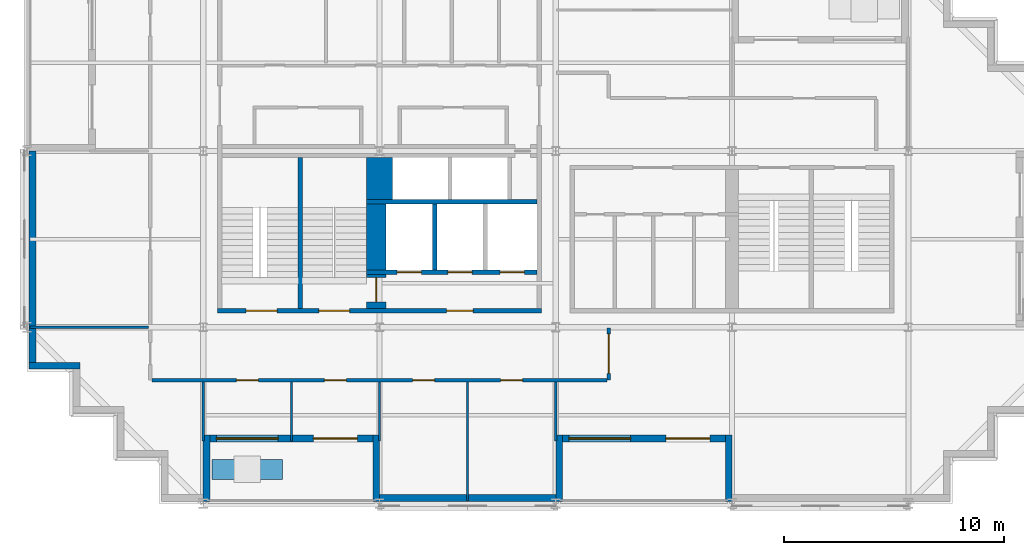
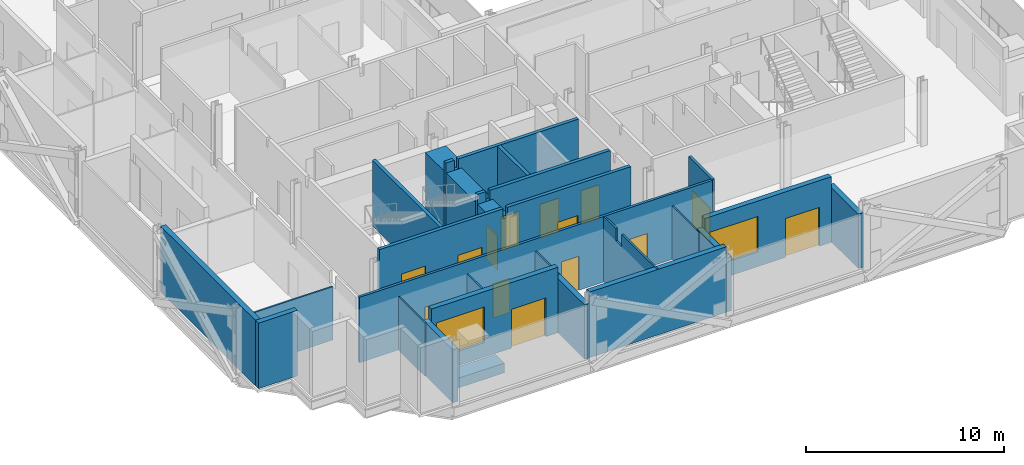
# One storey, part 4 of 12: 26 walls, 14 doors, 2 windows, 16 openings.
"""IFC4 building model written with IfcOpenShell, lengths in metres."""

from ifc_helpers import new_model, si_unit, direction, frame, frame_2d, origin, place, context, subcontext, project, spatial, polyline, rectangle, outline, extrude, material, layer, layer_set, type_object, element, fill, save


model = new_model("IFC4")

# Units and contexts
model_context = context("Model", 3, precision=1e-05, world=origin(), true_north=direction((0.0, 1.0)))
body_context = subcontext(model_context, "Body", "Model", "MODEL_VIEW")
ifc_project = project(units=[si_unit("LENGTHUNIT", "METRE"), si_unit("AREAUNIT", "SQUARE_METRE"), si_unit("VOLUMEUNIT", "CUBIC_METRE"), si_unit("PLANEANGLEUNIT", "RADIAN"), si_unit("MASSUNIT", "GRAM", prefix="KILO")], contexts=[model_context])

# Site, building, storey
site_placement = place(None, origin())
site = spatial("IfcSite", under=ifc_project, at=site_placement, CompositionType="ELEMENT")
building_placement = place(site_placement, origin())
building = spatial("IfcBuilding", under=site, at=building_placement, Name="Immortelle Media Tower", CompositionType="ELEMENT")
storey_placement = place(building_placement, frame((0.0, 0.0, 124.199951171875)))
storey = spatial("IfcBuildingStorey", under=building, at=storey_placement, Name="L24", CompositionType="ELEMENT", Elevation=124.199951171875)

# Wall, openings, doors
ifc_material_1 = material(Name="Fire-rated gypsum board", Category="gypsum")
ifc_layer_1 = layer(ifc_material_1, 0.03759765625)
ifc_material_2 = material(Name="Steel ASTM A653 SS Gr 50 stud frame with mineral wool", Category="steel")
ifc_layer_2 = layer(ifc_material_2, 0.125)
ifc_layer_3 = layer(ifc_material_1, 0.03759765625)
ifc_layer_set_1 = layer_set([ifc_layer_1, ifc_layer_2, ifc_layer_3], Name="Steel ASTM A653 SS Gr 50 stud frame with mineral wool")
wall_type_1 = type_object("IfcWallType", Name="Core shaft wall 200", PredefinedType="PARTITIONING", material=ifc_layer_set_1)
wall_1_placement = place(storey_placement, frame((15.39990234375, 10.5, 0.0), z_axis=(0.0, 0.0, 1.0), x_axis=(1.0, 0.0, 0.0)))
wall_1 = element("IfcWall", 1, at=wall_1_placement, inside=storey, type_object=wall_type_1, Name="Core shaft wall SW", PredefinedType="PARTITIONING", context=body_context, shape_type="SweptSolid", body=[
    extrude(outline(polyline([(0.0, 0.0), (7.75, 0.0), (7.75, 4.050048828125), (0.719482421875, 4.050048828125), (0.718505859375, 3.43212890625), (0.4814453125, 3.43212890625), (0.48046875, 4.050048828125), (0.0, 4.050048828125), (0.0, 0.0)])), frame((0.0, 0.10009765625, 0.0), z_axis=(0.0, -1.0, 0.0), x_axis=(1.0, 0.0, 0.0)), (0.0, 0.0, 1.0), 0.199951171875),
])
opening_1_placement = place(wall_1_placement, frame((1.39990234375, 0.0, 0.0)))
opening_1 = element("IfcOpeningElement", 2, at=opening_1_placement, cuts=wall_1, Name="Opening LD", PredefinedType="OPENING", context=body_context, shape_type="SweptSolid", body=[
    extrude(rectangle(XDim=1.10009765625, YDim=2.10009765625, at=frame_2d((0.550048828125, 1.050048828125))), frame((0.0, 0.10986328125, 0.0), z_axis=(0.0, -1.0, 0.0), x_axis=(1.0, 0.0, 0.0)), (0.0, 0.0, 1.0), 0.219970703125),
])
opening_2_placement = place(wall_1_placement, frame((3.699951171875, 0.0, 0.0)))
opening_2 = element("IfcOpeningElement", 3, at=opening_2_placement, cuts=wall_1, Name="Opening LD", PredefinedType="OPENING", context=body_context, shape_type="SweptSolid", body=[
    extrude(rectangle(XDim=1.10009765625, YDim=2.10009765625, at=frame_2d((0.550048828125, 1.050048828125))), frame((0.0, 0.10986328125, 0.0), z_axis=(0.0, -1.0, 0.0), x_axis=(1.0, 0.0, 0.0)), (0.0, 0.0, 1.0), 0.219970703125),
])
opening_3_placement = place(wall_1_placement, frame((6.074951171875, 0.0, 0.0)))
opening_3 = element("IfcOpeningElement", 4, at=opening_3_placement, cuts=wall_1, Name="Opening LD", PredefinedType="OPENING", context=body_context, shape_type="SweptSolid", body=[
    extrude(rectangle(XDim=1.10009765625, YDim=2.10009765625, at=frame_2d((0.550048828125, 1.050048828125))), frame((0.0, 0.10986328125, 0.0), z_axis=(0.0, -1.0, 0.0), x_axis=(1.0, 0.0, 0.0)), (0.0, 0.0, 1.0), 0.219970703125),
])
ifc_material_3 = material(Name="Stainless steel AISI 304", Category="steel")
door_type_1 = type_object("IfcDoorType", Name="Landing door 1100 x 2100", OperationType="SLIDING_TO_LEFT", PredefinedType="NOTDEFINED", material=ifc_material_3)
door_1_placement = place(opening_1_placement, origin())
door_1 = element("IfcDoor", 5, at=door_1_placement, inside=storey, type_object=door_type_1, Name="Landing door FF1 L24", OperationType="SLIDING_TO_LEFT", OverallHeight=2.10009765625, OverallWidth=1.10009765625, PredefinedType="NOTDEFINED", context=body_context, shape_type="SweptSolid", body=[
    extrude(rectangle(XDim=1.10009765625, YDim=2.10009765625, at=frame_2d((0.550048828125, 1.050048828125))), frame((0.0, 0.02490234375, 0.0), z_axis=(0.0, -1.0, 0.0), x_axis=(1.0, 0.0, 0.0)), (0.0, 0.0, 1.0), 0.050048828125),
])
fill(opening_1, door_1)
door_2_placement = place(opening_2_placement, origin())
door_2 = element("IfcDoor", 6, at=door_2_placement, inside=storey, type_object=door_type_1, Name="Landing door FF2 L24", OperationType="SLIDING_TO_LEFT", OverallHeight=2.10009765625, OverallWidth=1.10009765625, PredefinedType="NOTDEFINED", context=body_context, shape_type="SweptSolid", body=[
    extrude(rectangle(XDim=1.10009765625, YDim=2.10009765625, at=frame_2d((0.550048828125, 1.050048828125))), frame((0.0, 0.02490234375, 0.0), z_axis=(0.0, -1.0, 0.0), x_axis=(1.0, 0.0, 0.0)), (0.0, 0.0, 1.0), 0.050048828125),
])
fill(opening_2, door_2)
door_3_placement = place(opening_3_placement, origin())
door_3 = element("IfcDoor", 7, at=door_3_placement, inside=storey, type_object=door_type_1, Name="Landing door FF3 L24", OperationType="SLIDING_TO_LEFT", OverallHeight=2.10009765625, OverallWidth=1.10009765625, PredefinedType="NOTDEFINED", context=body_context, shape_type="SweptSolid", body=[
    extrude(rectangle(XDim=1.10009765625, YDim=2.10009765625, at=frame_2d((0.550048828125, 1.050048828125))), frame((0.0, 0.02490234375, 0.0), z_axis=(0.0, -1.0, 0.0), x_axis=(1.0, 0.0, 0.0)), (0.0, 0.0, 1.0), 0.050048828125),
])
fill(opening_3, door_3)

# Walls
wall_2_placement = place(storey_placement, frame((15.39990234375, 13.699951171875, 0.0), z_axis=(0.0, 0.0, 1.0), x_axis=(1.0, 0.0, 0.0)))
element("IfcWall", 8, at=wall_2_placement, inside=storey, type_object=wall_type_1, Name="Core shaft wall SW", PredefinedType="PARTITIONING", context=body_context, shape_type="SweptSolid", body=[
    extrude(outline(polyline([(0.0, 0.0), (7.75, 0.0), (7.75, 4.050048828125), (0.719482421875, 4.050048828125), (0.718505859375, 3.43212890625), (0.4814453125, 3.43212890625), (0.48046875, 4.050048828125), (0.0, 4.050048828125), (0.0, 0.0)])), frame((0.0, 0.10009765625, 0.0), z_axis=(0.0, -1.0, 0.0), x_axis=(1.0, 0.0, 0.0)), (0.0, 0.0, 1.0), 0.199951171875),
])
wall_3_placement = place(storey_placement, frame((18.5, 10.60009765625, 0.0), z_axis=(0.0, 0.0, 1.0), x_axis=(0.0, 1.0, 0.0)))
element("IfcWall", 9, at=wall_3_placement, inside=storey, type_object=wall_type_1, Name="Core shaft wall SW", PredefinedType="PARTITIONING", context=body_context, shape_type="SweptSolid", body=[
    extrude(rectangle(XDim=3.0, YDim=0.199951171875, at=frame_2d((1.5, 0.0))), origin(), (0.0, 0.0, 1.0), 4.050048828125),
])

# Wall, openings, doors
ifc_layer_4 = layer(ifc_material_1, 0.012451171875)
ifc_layer_5 = layer(ifc_material_2, 0.125)
ifc_layer_6 = layer(ifc_material_1, 0.012451171875)
ifc_layer_set_2 = layer_set([ifc_layer_4, ifc_layer_5, ifc_layer_6], Name="Steel ASTM A653 SS Gr 50 stud frame with mineral wool")
wall_type_2 = type_object("IfcWallType", Name="Corridor wall 150", PredefinedType="PARTITIONING", material=ifc_layer_set_2)
wall_4_placement = place(storey_placement, frame((5.675048828125, 5.60009765625, 0.0), z_axis=(0.0, 0.0, 1.0), x_axis=(1.0, 0.0, 0.0)))
wall_4 = element("IfcWall", 10, at=wall_4_placement, inside=storey, type_object=wall_type_2, Name="Partition L24-006", PredefinedType="PARTITIONING", context=body_context, shape_type="SweptSolid", body=[
    extrude(rectangle(XDim=20.64990234375, YDim=0.14990234375, at=frame_2d((10.324951171875, 0.0))), origin(), (0.0, 0.0, 1.0), 4.050048828125),
])
opening_4_placement = place(wall_4_placement, frame((12.824951171875, 0.0, 0.0), z_axis=(0.0, 0.0, 1.0), x_axis=(-1.0, 0.0, 0.0)))
opening_4 = element("IfcOpeningElement", 11, at=opening_4_placement, cuts=wall_4, Name="Opening C1-F001", PredefinedType="OPENING", context=body_context, shape_type="SweptSolid", body=[
    extrude(rectangle(XDim=1.0, YDim=2.10009765625, at=frame_2d((0.5, 1.050048828125))), frame((0.0, 0.0849609375, 0.0), z_axis=(0.0, -1.0, 0.0), x_axis=(1.0, 0.0, 0.0)), (0.0, 0.0, 1.0), 0.169921875),
])
opening_5_placement = place(wall_4_placement, frame((16.824951171875, 0.0, 0.0), z_axis=(0.0, 0.0, 1.0), x_axis=(-1.0, 0.0, 0.0)))
opening_5 = element("IfcOpeningElement", 12, at=opening_5_placement, cuts=wall_4, Name="Opening C1-F002", PredefinedType="OPENING", context=body_context, shape_type="SweptSolid", body=[
    extrude(rectangle(XDim=1.0, YDim=2.10009765625, at=frame_2d((0.5, 1.050048828125))), frame((0.0, 0.0849609375, 0.0), z_axis=(0.0, -1.0, 0.0), x_axis=(1.0, 0.0, 0.0)), (0.0, 0.0, 1.0), 0.169921875),
])
opening_6_placement = place(wall_4_placement, frame((4.824951171875, 0.0, 0.0), z_axis=(0.0, 0.0, 1.0), x_axis=(-1.0, 0.0, 0.0)))
opening_6 = element("IfcOpeningElement", 13, at=opening_6_placement, cuts=wall_4, Name="Opening C1-F003", PredefinedType="OPENING", context=body_context, shape_type="SweptSolid", body=[
    extrude(rectangle(XDim=1.0, YDim=2.10009765625, at=frame_2d((0.5, 1.050048828125))), frame((0.0, 0.0849609375, 0.0), z_axis=(0.0, -1.0, 0.0), x_axis=(1.0, 0.0, 0.0)), (0.0, 0.0, 1.0), 0.169921875),
])
opening_7_placement = place(wall_4_placement, frame((8.824951171875, 0.0, 0.0), z_axis=(0.0, 0.0, 1.0), x_axis=(-1.0, 0.0, 0.0)))
opening_7 = element("IfcOpeningElement", 14, at=opening_7_placement, cuts=wall_4, Name="Opening C1-F004", PredefinedType="OPENING", context=body_context, shape_type="SweptSolid", body=[
    extrude(rectangle(XDim=1.0, YDim=2.10009765625, at=frame_2d((0.5, 1.050048828125))), frame((0.0, 0.0849609375, 0.0), z_axis=(0.0, -1.0, 0.0), x_axis=(1.0, 0.0, 0.0)), (0.0, 0.0, 1.0), 0.169921875),
])
ifc_material_4 = material(Name="Timber veneered door leaf, galvanised steel frame ASTM A653", Category="steel")
door_type_2 = type_object("IfcDoorType", Name="Room door 1000 x 2100", OperationType="NOTDEFINED", PredefinedType="DOOR", material=ifc_material_4)
door_4_placement = place(opening_4_placement, origin())
door_4 = element("IfcDoor", 15, at=door_4_placement, inside=storey, type_object=door_type_2, Name="Door C1-F001", OperationType="SINGLE_SWING_LEFT", OverallHeight=2.10009765625, OverallWidth=1.0, PredefinedType="DOOR", context=body_context, shape_type="SweptSolid", body=[
    extrude(rectangle(XDim=1.0, YDim=2.10009765625, at=frame_2d((0.5, 1.050048828125))), frame((0.0, 0.02490234375, 0.0), z_axis=(0.0, -1.0, 0.0), x_axis=(1.0, 0.0, 0.0)), (0.0, 0.0, 1.0), 0.050048828125),
])
fill(opening_4, door_4)
door_5_placement = place(opening_5_placement, origin())
door_5 = element("IfcDoor", 16, at=door_5_placement, inside=storey, type_object=door_type_2, Name="Door C1-F002", OperationType="SINGLE_SWING_RIGHT", OverallHeight=2.10009765625, OverallWidth=1.0, PredefinedType="DOOR", context=body_context, shape_type="SweptSolid", body=[
    extrude(rectangle(XDim=1.0, YDim=2.10009765625, at=frame_2d((0.5, 1.050048828125))), frame((0.0, 0.02490234375, 0.0), z_axis=(0.0, -1.0, 0.0), x_axis=(1.0, 0.0, 0.0)), (0.0, 0.0, 1.0), 0.050048828125),
])
fill(opening_5, door_5)
door_6_placement = place(opening_6_placement, origin())
door_6 = element("IfcDoor", 17, at=door_6_placement, inside=storey, type_object=door_type_2, Name="Door C1-F003", OperationType="SINGLE_SWING_LEFT", OverallHeight=2.10009765625, OverallWidth=1.0, PredefinedType="DOOR", context=body_context, shape_type="SweptSolid", body=[
    extrude(rectangle(XDim=1.0, YDim=2.10009765625, at=frame_2d((0.5, 1.050048828125))), frame((0.0, 0.02490234375, 0.0), z_axis=(0.0, -1.0, 0.0), x_axis=(1.0, 0.0, 0.0)), (0.0, 0.0, 1.0), 0.050048828125),
])
fill(opening_6, door_6)
door_7_placement = place(opening_7_placement, origin())
door_7 = element("IfcDoor", 18, at=door_7_placement, inside=storey, type_object=door_type_2, Name="Door C1-F004", OperationType="SINGLE_SWING_RIGHT", OverallHeight=2.10009765625, OverallWidth=1.0, PredefinedType="DOOR", context=body_context, shape_type="SweptSolid", body=[
    extrude(rectangle(XDim=1.0, YDim=2.10009765625, at=frame_2d((0.5, 1.050048828125))), frame((0.0, 0.02490234375, 0.0), z_axis=(0.0, -1.0, 0.0), x_axis=(1.0, 0.0, 0.0)), (0.0, 0.0, 1.0), 0.050048828125),
])
fill(opening_7, door_7)

# Wall, opening, door
wall_5_placement = place(storey_placement, frame((26.39990234375, 5.60009765625, 0.0), z_axis=(0.0, 0.0, 1.0), x_axis=(0.0, 1.0, 0.0)))
wall_5 = element("IfcWall", 19, at=wall_5_placement, inside=storey, type_object=wall_type_2, Name="Partition L24-008", PredefinedType="PARTITIONING", context=body_context, shape_type="SweptSolid", body=[
    extrude(rectangle(XDim=2.369873046875, YDim=0.14990234375, at=frame_2d((1.18505859375, 0.0))), origin(), (0.0, 0.0, 1.0), 4.050048828125),
])
opening_8_placement = place(wall_5_placement, frame((0.300048828125, 0.0, 0.0)))
opening_8 = element("IfcOpeningElement", 20, at=opening_8_placement, cuts=wall_5, Name="Opening C1-F006", PredefinedType="OPENING", context=body_context, shape_type="SweptSolid", body=[
    extrude(rectangle(XDim=1.800048828125, YDim=2.10009765625, at=frame_2d((0.89990234375, 1.050048828125))), frame((0.0, 0.0849609375, 0.0), z_axis=(0.0, -1.0, 0.0), x_axis=(1.0, 0.0, 0.0)), (0.0, 0.0, 1.0), 0.169921875),
])
door_type_3 = type_object("IfcDoorType", Name="Room door 1800 x 2100", OperationType="DOUBLE_DOOR_SINGLE_SWING", PredefinedType="DOOR", material=ifc_material_4)
door_8_placement = place(opening_8_placement, origin())
door_8 = element("IfcDoor", 21, at=door_8_placement, inside=storey, type_object=door_type_3, Name="Door C1-F006", OperationType="DOUBLE_DOOR_SINGLE_SWING", OverallHeight=2.10009765625, OverallWidth=1.800048828125, PredefinedType="DOOR", context=body_context, shape_type="SweptSolid", body=[
    extrude(rectangle(XDim=1.800048828125, YDim=2.10009765625, at=frame_2d((0.89990234375, 1.050048828125))), frame((0.0, 0.02490234375, 0.0), z_axis=(0.0, -1.0, 0.0), x_axis=(1.0, 0.0, 0.0)), (0.0, 0.0, 1.0), 0.050048828125),
])
fill(opening_8, door_8)

# Wall
ifc_material_5 = material(Name="Pale aluminium cladding panel", Category="aluminium")
ifc_layer_7 = layer(ifc_material_5, 0.030029296875)
ifc_layer_8 = layer(ifc_material_2, 0.257568359375)
ifc_material_6 = material(Name="Moisture-resistant gypsum board", Category="gypsum")
ifc_layer_9 = layer(ifc_material_6, 0.012451171875)
ifc_layer_set_3 = layer_set([ifc_layer_7, ifc_layer_8, ifc_layer_9], Name="Steel ASTM A653 SS Gr 50 stud frame with mineral wool")
wall_type_3 = type_object("IfcWallType", Name="Facade wall 300", PredefinedType="SOLIDWALL", material=ifc_layer_set_3)
wall_6_placement = place(storey_placement, frame((0.10009765625, 6.25, 0.0), z_axis=(0.0, 0.0, 1.0), x_axis=(1.0, 0.0, 0.0)))
element("IfcWall", 22, at=wall_6_placement, inside=storey, type_object=wall_type_3, Name="Facade wall L24 S0", PredefinedType="SOLIDWALL", context=body_context, shape_type="SweptSolid", body=[
    extrude(rectangle(XDim=2.2998046875, YDim=0.300048828125, at=frame_2d((1.14990234375, 0.0))), origin(), (0.0, 0.0, 1.0), 4.050048828125),
])

# Wall, openings, door, window
wall_7_placement = place(storey_placement, frame((8.300048828125, 2.949951171875, 0.0), z_axis=(0.0, 0.0, 1.0), x_axis=(1.0, 0.0, 0.0)))
wall_7 = element("IfcWall", 23, at=wall_7_placement, inside=storey, type_object=wall_type_3, Name="Loggia wall L24 S6", PredefinedType="SOLIDWALL", context=body_context, shape_type="SweptSolid", body=[
    extrude(rectangle(XDim=7.39990234375, YDim=0.300048828125, at=frame_2d((3.699951171875, 0.0))), origin(), (0.0, 0.0, 1.0), 4.050048828125),
])
opening_9_placement = place(wall_7_placement, frame((0.300048828125, 0.0, 0.89990234375)))
opening_9 = element("IfcOpeningElement", 24, at=opening_9_placement, cuts=wall_7, Name="Opening W1", PredefinedType="OPENING", context=body_context, shape_type="SweptSolid", body=[
    extrude(rectangle(XDim=2.800048828125, YDim=2.199951171875, at=frame_2d((1.39990234375, 1.10009765625))), frame((0.0, 0.159912109375, 0.0), z_axis=(0.0, -1.0, 0.0), x_axis=(1.0, 0.0, 0.0)), (0.0, 0.0, 1.0), 0.320068359375),
])
opening_10_placement = place(wall_7_placement, frame((4.699951171875, 0.0, 0.0)))
opening_10 = element("IfcOpeningElement", 25, at=opening_10_placement, cuts=wall_7, Name="Opening C1-E001", PredefinedType="OPENING", context=body_context, shape_type="SweptSolid", body=[
    extrude(rectangle(XDim=2.0, YDim=2.39990234375, at=frame_2d((1.0, 1.199951171875))), frame((0.0, 0.159912109375, 0.0), z_axis=(0.0, -1.0, 0.0), x_axis=(1.0, 0.0, 0.0)), (0.0, 0.0, 1.0), 0.320068359375),
])
ifc_material_7 = material(Name="Aluminium frame, glazed leaves", Category="aluminium")
door_type_4 = type_object("IfcDoorType", Name="Loggia door 2000 x 2400", OperationType="DOUBLE_DOOR_SINGLE_SWING", PredefinedType="DOOR", material=ifc_material_7)
door_9_placement = place(opening_10_placement, origin())
door_9 = element("IfcDoor", 26, at=door_9_placement, inside=storey, type_object=door_type_4, Name="Door C1-E001", OperationType="DOUBLE_DOOR_SINGLE_SWING", OverallHeight=2.39990234375, OverallWidth=2.0, PredefinedType="DOOR", context=body_context, shape_type="SweptSolid", body=[
    extrude(rectangle(XDim=2.0, YDim=2.39990234375, at=frame_2d((1.0, 1.199951171875))), frame((0.0, 0.02490234375, 0.0), z_axis=(0.0, -1.0, 0.0), x_axis=(1.0, 0.0, 0.0)), (0.0, 0.0, 1.0), 0.050048828125),
])
fill(opening_10, door_9)
ifc_material_8 = material(Name="Aluminium frame", Category="aluminium")
window_type = type_object("IfcWindowType", Name="Window 2800 x 2200", PartitioningType="SINGLE_PANEL", PredefinedType="WINDOW", material=ifc_material_8)
window_1_placement = place(opening_9_placement, origin())
window_1 = element("IfcWindow", 27, at=window_1_placement, inside=storey, type_object=window_type, Name="Window L24 L24-R6-B0", OverallHeight=2.199951171875, OverallWidth=2.800048828125, PartitioningType="SINGLE_PANEL", PredefinedType="WINDOW", context=body_context, shape_type="SweptSolid", body=[
    extrude(rectangle(XDim=2.800048828125, YDim=2.199951171875, at=frame_2d((1.39990234375, 1.10009765625))), frame((0.0, 0.030029296875, 0.0), z_axis=(0.0, -1.0, 0.0), x_axis=(1.0, 0.0, 0.0)), (0.0, 0.0, 1.0), 0.06005859375),
])
fill(opening_9, window_1)

# Walls
wall_8_placement = place(storey_placement, frame((8.14990234375, 0.10009765625, 0.0), z_axis=(0.0, 0.0, 1.0), x_axis=(0.0, 1.0, 0.0)))
element("IfcWall", 28, at=wall_8_placement, inside=storey, type_object=wall_type_3, Name="Loggia cheek wall L24 S", PredefinedType="SOLIDWALL", context=body_context, shape_type="SweptSolid", body=[
    extrude(rectangle(XDim=3.0, YDim=0.300048828125, at=frame_2d((1.5, 0.0))), origin(), (0.0, 0.0, 1.0), 3.287109375),
])
wall_9_placement = place(storey_placement, frame((15.85009765625, 0.10009765625, 0.0), z_axis=(0.0, 0.0, 1.0), x_axis=(0.0, 1.0, 0.0)))
element("IfcWall", 29, at=wall_9_placement, inside=storey, type_object=wall_type_3, Name="Loggia cheek wall L24 S", PredefinedType="SOLIDWALL", context=body_context, shape_type="SweptSolid", body=[
    extrude(rectangle(XDim=3.0, YDim=0.300048828125, at=frame_2d((1.5, 0.0))), origin(), (0.0, 0.0, 1.0), 3.35595703125),
])
wall_10_placement = place(storey_placement, frame((16.0, 0.25, 0.0), z_axis=(0.0, 0.0, 1.0), x_axis=(1.0, 0.0, 0.0)))
element("IfcWall", 30, at=wall_10_placement, inside=storey, type_object=wall_type_3, Name="Facade wall L24 S6", PredefinedType="SOLIDWALL", context=body_context, shape_type="SweptSolid", body=[
    extrude(rectangle(XDim=8.0, YDim=0.300048828125, at=frame_2d((4.0, 0.0))), origin(), (0.0, 0.0, 1.0), 4.050048828125),
])

# Wall, openings, door, window
wall_11_placement = place(storey_placement, frame((24.300048828125, 2.949951171875, 0.0), z_axis=(0.0, 0.0, 1.0), x_axis=(1.0, 0.0, 0.0)))
wall_11 = element("IfcWall", 31, at=wall_11_placement, inside=storey, type_object=wall_type_3, Name="Loggia wall L24 S6", PredefinedType="SOLIDWALL", context=body_context, shape_type="SweptSolid", body=[
    extrude(rectangle(XDim=7.39990234375, YDim=0.300048828125, at=frame_2d((3.699951171875, 0.0))), origin(), (0.0, 0.0, 1.0), 4.050048828125),
])
opening_11_placement = place(wall_11_placement, frame((0.300048828125, 0.0, 0.89990234375)))
opening_11 = element("IfcOpeningElement", 32, at=opening_11_placement, cuts=wall_11, Name="Opening W1", PredefinedType="OPENING", context=body_context, shape_type="SweptSolid", body=[
    extrude(rectangle(XDim=2.800048828125, YDim=2.199951171875, at=frame_2d((1.39990234375, 1.10009765625))), frame((0.0, 0.159912109375, 0.0), z_axis=(0.0, -1.0, 0.0), x_axis=(1.0, 0.0, 0.0)), (0.0, 0.0, 1.0), 0.320068359375),
])
opening_12_placement = place(wall_11_placement, frame((4.699951171875, 0.0, 0.0)))
opening_12 = element("IfcOpeningElement", 33, at=opening_12_placement, cuts=wall_11, Name="Opening C1-E002", PredefinedType="OPENING", context=body_context, shape_type="SweptSolid", body=[
    extrude(rectangle(XDim=2.0, YDim=2.39990234375, at=frame_2d((1.0, 1.199951171875))), frame((0.0, 0.159912109375, 0.0), z_axis=(0.0, -1.0, 0.0), x_axis=(1.0, 0.0, 0.0)), (0.0, 0.0, 1.0), 0.320068359375),
])
door_10_placement = place(opening_12_placement, origin())
door_10 = element("IfcDoor", 34, at=door_10_placement, inside=storey, type_object=door_type_4, Name="Door C1-E002", OperationType="DOUBLE_DOOR_SINGLE_SWING", OverallHeight=2.39990234375, OverallWidth=2.0, PredefinedType="DOOR", context=body_context, shape_type="SweptSolid", body=[
    extrude(rectangle(XDim=2.0, YDim=2.39990234375, at=frame_2d((1.0, 1.199951171875))), frame((0.0, 0.02490234375, 0.0), z_axis=(0.0, -1.0, 0.0), x_axis=(1.0, 0.0, 0.0)), (0.0, 0.0, 1.0), 0.050048828125),
])
fill(opening_12, door_10)
window_2_placement = place(opening_11_placement, origin())
window_2 = element("IfcWindow", 35, at=window_2_placement, inside=storey, type_object=window_type, Name="Window L24 L24-R6-B2", OverallHeight=2.199951171875, OverallWidth=2.800048828125, PartitioningType="SINGLE_PANEL", PredefinedType="WINDOW", context=body_context, shape_type="SweptSolid", body=[
    extrude(rectangle(XDim=2.800048828125, YDim=2.199951171875, at=frame_2d((1.39990234375, 1.10009765625))), frame((0.0, 0.030029296875, 0.0), z_axis=(0.0, -1.0, 0.0), x_axis=(1.0, 0.0, 0.0)), (0.0, 0.0, 1.0), 0.06005859375),
])
fill(opening_11, window_2)

# Walls
for number, where, z_axis, x_axis, name in (
    (36, (24.14990234375, 0.10009765625, 0.0), (0.0, 0.0, 1.0), (0.0, 1.0, 0.0), "Loggia cheek wall L24 S"),
    (37, (31.85009765625, 0.10009765625, 0.0), (0.0, 0.0, 1.0), (0.0, 1.0, 0.0), "Loggia cheek wall L24 S"),
):
    element("IfcWall", number, at=place(storey_placement, frame(where, z_axis=z_axis, x_axis=x_axis)), inside=storey, type_object=wall_type_3, Name=name, PredefinedType="SOLIDWALL", context=body_context, shape_type="SweptSolid", body=[
        extrude(rectangle(XDim=3.0, YDim=0.300048828125, at=frame_2d((1.5, 0.0))), origin(), (0.0, 0.0, 1.0), 3.35595703125),
    ])
wall_12_placement = place(storey_placement, frame((0.25, 16.0, 0.0), z_axis=(0.0, 0.0, 1.0), x_axis=(0.0, -1.0, 0.0)))
element("IfcWall", 38, at=wall_12_placement, inside=storey, type_object=wall_type_3, Name="Facade wall L24 W35", PredefinedType="SOLIDWALL", context=body_context, shape_type="SweptSolid", body=[
    extrude(rectangle(XDim=9.60009765625, YDim=0.300048828125, at=frame_2d((4.800048828125, 0.0))), origin(), (0.0, 0.0, 1.0), 4.050048828125),
])
ifc_material_9 = material(Name="Gypsum board", Category="gypsum")
ifc_layer_10 = layer(ifc_material_9, 0.012451171875)
ifc_layer_11 = layer(ifc_material_2, 0.074951171875)
ifc_layer_12 = layer(ifc_material_9, 0.012451171875)
ifc_layer_set_4 = layer_set([ifc_layer_10, ifc_layer_11, ifc_layer_12], Name="Steel ASTM A653 SS Gr 50 stud frame with mineral wool")
wall_type_4 = type_object("IfcWallType", Name="Partition 100", PredefinedType="PARTITIONING", material=ifc_layer_set_4)
wall_13_placement = place(storey_placement, frame((20.0, 0.1298828125, 0.0), z_axis=(0.0, 0.0, 1.0), x_axis=(0.0, 1.0, 0.0)))
element("IfcWall", 39, at=wall_13_placement, inside=storey, type_object=wall_type_4, Name="Partition L24-001", PredefinedType="PARTITIONING", context=body_context, shape_type="SweptSolid", body=[
    extrude(outline(polyline([(0.0, 0.0), (5.39501953125, 0.0), (5.39501953125, 4.050048828125), (4.169921875, 4.050048828125), (4.16796875, 3.2880859375), (3.572021484375, 3.2880859375), (3.570068359375, 4.050048828125), (0.0, 4.050048828125), (0.0, 0.0)])), frame((0.0, 0.050048828125, 0.0), z_axis=(0.0, -1.0, 0.0), x_axis=(1.0, 0.0, 0.0)), (0.0, 0.0, 1.0), 0.10009765625),
])
for number, where, z_axis, x_axis, name in (
    (40, (8.0, 2.830078125, 0.0), (0.0, 0.0, 1.0), (0.0, 1.0, 0.0), "Partition L24-002"),
    (41, (12.0, 2.830078125, 0.0), (0.0, 0.0, 1.0), (0.0, 1.0, 0.0), "Partition L24-003"),
    (42, (16.0, 2.830078125, 0.0), (0.0, 0.0, 1.0), (0.0, 1.0, 0.0), "Partition L24-004"),
    (43, (24.0, 2.830078125, 0.0), (0.0, 0.0, 1.0), (0.0, 1.0, 0.0), "Partition L24-005"),
):
    element("IfcWall", number, at=place(storey_placement, frame(where, z_axis=z_axis, x_axis=x_axis)), inside=storey, type_object=wall_type_4, Name=name, PredefinedType="PARTITIONING", context=body_context, shape_type="SweptSolid", body=[
        extrude(rectangle(XDim=2.69482421875, YDim=0.10009765625, at=frame_2d((1.347412109375, 0.0))), origin(), (0.0, 0.0, 1.0), 3.2880859375),
    ])
wall_14_placement = place(storey_placement, frame((0.1298828125, 8.0, 0.0), z_axis=(0.0, 0.0, 1.0), x_axis=(1.0, 0.0, 0.0)))
element("IfcWall", 44, at=wall_14_placement, inside=storey, type_object=wall_type_4, Name="Partition L24-009", PredefinedType="PARTITIONING", context=body_context, shape_type="SweptSolid", body=[
    extrude(rectangle(XDim=5.39501953125, YDim=0.10009765625, at=frame_2d((2.697509765625, 0.0))), origin(), (0.0, 0.0, 1.0), 3.2880859375),
])
ifc_layer_13 = layer(ifc_material_5, 0.0029296875)
ifc_material_10 = material(Name="Steel ASTM A572 Gr 50 planter shell", Category="steel")
ifc_layer_14 = layer(ifc_material_10, 0.011962890625)
ifc_material_11 = material(Name="Planting substrate", Category="soil")
ifc_layer_15 = layer(ifc_material_11, 0.873046875)
ifc_layer_16 = layer(ifc_material_10, 0.011962890625)
ifc_layer_set_5 = layer_set([ifc_layer_13, ifc_layer_14, ifc_layer_15, ifc_layer_16], Name="Steel ASTM A572 Gr 50 planter shell")
wall_type_5 = type_object("IfcWallType", Name="Planter wall 900", PredefinedType="SOLIDWALL", material=ifc_layer_set_5)
wall_15_placement = place(storey_placement, frame((8.39990234375, 1.550048828125, 0.0), z_axis=(0.0, 0.0, 1.0), x_axis=(1.0, 0.0, 0.0)))
element("IfcWall", 45, at=wall_15_placement, inside=storey, type_object=wall_type_5, Name="Planter L24 S0", PredefinedType="SOLIDWALL", context=body_context, shape_type="SweptSolid", body=[
    extrude(rectangle(XDim=3.2001953125, YDim=0.89990234375, at=frame_2d((1.60009765625, 0.0))), origin(), (0.0, 0.0, 1.0), 0.60009765625),
])
ifc_material_12 = material(Name="Concrete C60", Category="concrete")
ifc_layer_17 = layer(ifc_material_12, 1.199951171875)
ifc_layer_set_6 = layer_set([ifc_layer_17], Name="Concrete C60")
wall_type_6 = type_object("IfcWallType", Name="Stair shaft wall 1200", PredefinedType="PARTITIONING", material=ifc_layer_set_6)
wall_16_placement = place(storey_placement, frame((16.0, 13.800048828125, 0.0), z_axis=(0.0, 0.0, 1.0), x_axis=(0.0, 1.0, 0.0)))
element("IfcWall", 46, at=wall_16_placement, inside=storey, type_object=wall_type_6, Name="Stair shaft wall SW", PredefinedType="PARTITIONING", context=body_context, shape_type="SweptSolid", body=[
    extrude(rectangle(XDim=1.89990234375, YDim=1.199951171875, at=frame_2d((0.949951171875, 0.0))), origin(), (0.0, 0.0, 1.0), 3.43212890625),
])

# Wall, openings, doors
ifc_layer_18 = layer(ifc_material_12, 0.199951171875)
ifc_layer_set_7 = layer_set([ifc_layer_18], Name="Concrete C60")
wall_type_7 = type_object("IfcWallType", Name="Stair shaft wall 200", PredefinedType="PARTITIONING", material=ifc_layer_set_7)
wall_17_placement = place(storey_placement, frame((8.64990234375, 8.75, 0.0), z_axis=(0.0, 0.0, 1.0), x_axis=(1.0, 0.0, 0.0)))
wall_17 = element("IfcWall", 47, at=wall_17_placement, inside=storey, type_object=wall_type_7, Name="Stair shaft wall SW", PredefinedType="PARTITIONING", context=body_context, shape_type="SweptSolid", body=[
    extrude(outline(polyline([(0.0, 0.0), (14.7001953125, 0.0), (14.699951171875, 4.050048828125), (7.469482421875, 4.050048828125), (7.468505859375, 3.43212890625), (7.2314453125, 3.43212890625), (7.23046875, 4.050048828125), (0.0, 4.050048828125), (0.0, 0.0)])), frame((0.0, 0.10009765625, 0.0), z_axis=(0.0, -1.0, 0.0), x_axis=(1.0, 0.0, 0.0)), (0.0, 0.0, 1.0), 0.199951171875),
])
opening_13_placement = place(wall_17_placement, frame((1.300048828125, 0.0, 0.0)))
opening_13 = element("IfcOpeningElement", 48, at=opening_13_placement, cuts=wall_17, Name="Opening C1-K002", PredefinedType="OPENING", context=body_context, shape_type="SweptSolid", body=[
    extrude(rectangle(XDim=1.39990234375, YDim=2.10009765625, at=frame_2d((0.699951171875, 1.050048828125))), frame((0.0, 0.10986328125, 0.0), z_axis=(0.0, -1.0, 0.0), x_axis=(1.0, 0.0, 0.0)), (0.0, 0.0, 1.0), 0.219970703125),
])
opening_14_placement = place(wall_17_placement, frame((4.60009765625, 0.0, 0.0)))
opening_14 = element("IfcOpeningElement", 49, at=opening_14_placement, cuts=wall_17, Name="Opening C1-K005", PredefinedType="OPENING", context=body_context, shape_type="SweptSolid", body=[
    extrude(rectangle(XDim=1.39990234375, YDim=2.10009765625, at=frame_2d((0.699951171875, 1.050048828125))), frame((0.0, 0.10986328125, 0.0), z_axis=(0.0, -1.0, 0.0), x_axis=(1.0, 0.0, 0.0)), (0.0, 0.0, 1.0), 0.219970703125),
])
opening_15_placement = place(wall_17_placement, frame((10.39990234375, 0.0, 0.0)))
opening_15 = element("IfcOpeningElement", 50, at=opening_15_placement, cuts=wall_17, Name="Opening C1-K011", PredefinedType="OPENING", context=body_context, shape_type="SweptSolid", body=[
    extrude(rectangle(XDim=1.199951171875, YDim=2.10009765625, at=frame_2d((0.60009765625, 1.050048828125))), frame((0.0, 0.10986328125, 0.0), z_axis=(0.0, -1.0, 0.0), x_axis=(1.0, 0.0, 0.0)), (0.0, 0.0, 1.0), 0.219970703125),
])
ifc_material_13 = material(Name="Galvanised steel door leaf and frame ASTM A653", Category="steel")
door_type_5 = type_object("IfcDoorType", Name="Fire-fighting lobby door 1200 x 2100", OperationType="NOTDEFINED", PredefinedType="NOTDEFINED", material=ifc_material_13)
door_11_placement = place(opening_15_placement, origin())
door_11 = element("IfcDoor", 51, at=door_11_placement, inside=storey, type_object=door_type_5, Name="Fire-fighting lobby C1-K011", OperationType="SINGLE_SWING_RIGHT", OverallHeight=2.10009765625, OverallWidth=1.199951171875, PredefinedType="NOTDEFINED", context=body_context, shape_type="SweptSolid", body=[
    extrude(rectangle(XDim=1.199951171875, YDim=2.10009765625, at=frame_2d((0.60009765625, 1.050048828125))), frame((0.0, 0.02490234375, 0.0), z_axis=(0.0, -1.0, 0.0), x_axis=(1.0, 0.0, 0.0)), (0.0, 0.0, 1.0), 0.050048828125),
])
fill(opening_15, door_11)
door_type_6 = type_object("IfcDoorType", Name="Stair door 1400 x 2100", OperationType="DOUBLE_DOOR_SINGLE_SWING", PredefinedType="NOTDEFINED", material=ifc_material_13)
door_12_placement = place(opening_13_placement, origin())
door_12 = element("IfcDoor", 52, at=door_12_placement, inside=storey, type_object=door_type_6, Name="Stair C1-K002", OperationType="DOUBLE_DOOR_SINGLE_SWING", OverallHeight=2.10009765625, OverallWidth=1.39990234375, PredefinedType="NOTDEFINED", context=body_context, shape_type="SweptSolid", body=[
    extrude(rectangle(XDim=1.39990234375, YDim=2.10009765625, at=frame_2d((0.699951171875, 1.050048828125))), frame((0.0, 0.02490234375, 0.0), z_axis=(0.0, -1.0, 0.0), x_axis=(1.0, 0.0, 0.0)), (0.0, 0.0, 1.0), 0.050048828125),
])
fill(opening_13, door_12)
door_13_placement = place(opening_14_placement, origin())
door_13 = element("IfcDoor", 53, at=door_13_placement, inside=storey, type_object=door_type_6, Name="Stair C1-K005", OperationType="DOUBLE_DOOR_SINGLE_SWING", OverallHeight=2.10009765625, OverallWidth=1.39990234375, PredefinedType="NOTDEFINED", context=body_context, shape_type="SweptSolid", body=[
    extrude(rectangle(XDim=1.39990234375, YDim=2.10009765625, at=frame_2d((0.699951171875, 1.050048828125))), frame((0.0, 0.02490234375, 0.0), z_axis=(0.0, -1.0, 0.0), x_axis=(1.0, 0.0, 0.0)), (0.0, 0.0, 1.0), 0.050048828125),
])
fill(opening_14, door_13)

# Wall
wall_18_placement = place(storey_placement, frame((12.39990234375, 8.85009765625, 0.0), z_axis=(0.0, 0.0, 1.0), x_axis=(0.0, 1.0, 0.0)))
element("IfcWall", 54, at=wall_18_placement, inside=storey, type_object=wall_type_7, Name="Stair shaft wall SW", PredefinedType="PARTITIONING", context=body_context, shape_type="SweptSolid", body=[
    extrude(rectangle(XDim=6.849853515625, YDim=0.199951171875, at=frame_2d((3.4248046875, 0.0))), origin(), (0.0, 0.0, 1.0), 4.050048828125),
])

# Wall, opening, door
ifc_layer_19 = layer(ifc_material_12, 0.89990234375)
ifc_layer_set_8 = layer_set([ifc_layer_19], Name="Concrete C60")
wall_type_8 = type_object("IfcWallType", Name="Stair shaft wall 900", PredefinedType="PARTITIONING", material=ifc_layer_set_8)
wall_19_placement = place(storey_placement, frame((15.85009765625, 8.85009765625, 0.0), z_axis=(0.0, 0.0, 1.0), x_axis=(0.0, 1.0, 0.0)))
wall_19 = element("IfcWall", 55, at=wall_19_placement, inside=storey, type_object=wall_type_8, Name="Stair shaft wall SW", PredefinedType="PARTITIONING", context=body_context, shape_type="SweptSolid", body=[
    extrude(rectangle(XDim=1.5498046875, YDim=0.89990234375, at=frame_2d((0.77490234375, 0.0))), origin(), (0.0, 0.0, 1.0), 3.43212890625),
])
opening_16_placement = place(wall_19_placement, frame((0.300048828125, 0.0, 0.0)))
opening_16 = element("IfcOpeningElement", 56, at=opening_16_placement, cuts=wall_19, Name="Opening C1-K007", PredefinedType="OPENING", context=body_context, shape_type="SweptSolid", body=[
    extrude(rectangle(XDim=1.10009765625, YDim=2.10009765625, at=frame_2d((0.550048828125, 1.050048828125))), frame((0.0, 0.4599609375, 0.0), z_axis=(0.0, -1.0, 0.0), x_axis=(1.0, 0.0, 0.0)), (0.0, 0.0, 1.0), 0.919921875),
])
door_type_7 = type_object("IfcDoorType", Name="Stair lobby door 1100 x 2100", OperationType="NOTDEFINED", PredefinedType="NOTDEFINED", material=ifc_material_13)
door_14_placement = place(opening_16_placement, origin())
door_14 = element("IfcDoor", 57, at=door_14_placement, inside=storey, type_object=door_type_7, Name="Stair lobby C1-K007", OperationType="SINGLE_SWING_LEFT", OverallHeight=2.10009765625, OverallWidth=1.10009765625, PredefinedType="NOTDEFINED", context=body_context, shape_type="SweptSolid", body=[
    extrude(rectangle(XDim=1.10009765625, YDim=2.10009765625, at=frame_2d((0.550048828125, 1.050048828125))), frame((0.0, 0.02490234375, 0.0), z_axis=(0.0, -1.0, 0.0), x_axis=(1.0, 0.0, 0.0)), (0.0, 0.0, 1.0), 0.050048828125),
])
fill(opening_16, door_14)

# Wall
wall_20_placement = place(storey_placement, frame((15.85009765625, 10.60009765625, 0.0), z_axis=(0.0, 0.0, 1.0), x_axis=(0.0, 1.0, 0.0)))
element("IfcWall", 58, at=wall_20_placement, inside=storey, type_object=wall_type_8, Name="Stair shaft wall SW", PredefinedType="PARTITIONING", context=body_context, shape_type="SweptSolid", body=[
    extrude(rectangle(XDim=3.0, YDim=0.89990234375, at=frame_2d((1.5, 0.0))), origin(), (0.0, 0.0, 1.0), 3.43212890625),
])

save(model, "model.ifc")
